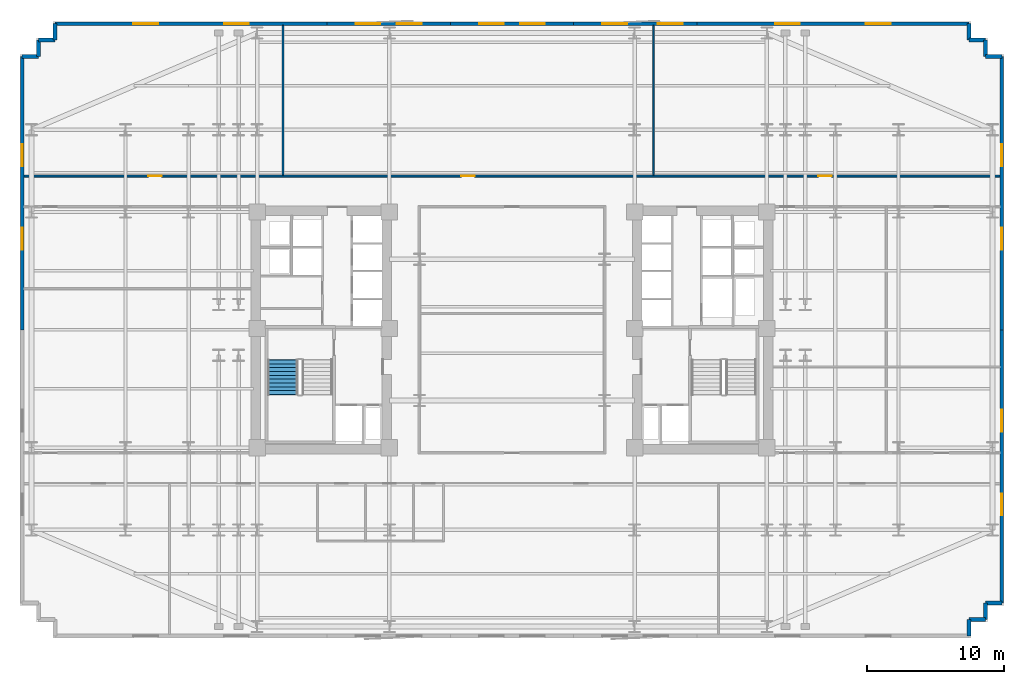
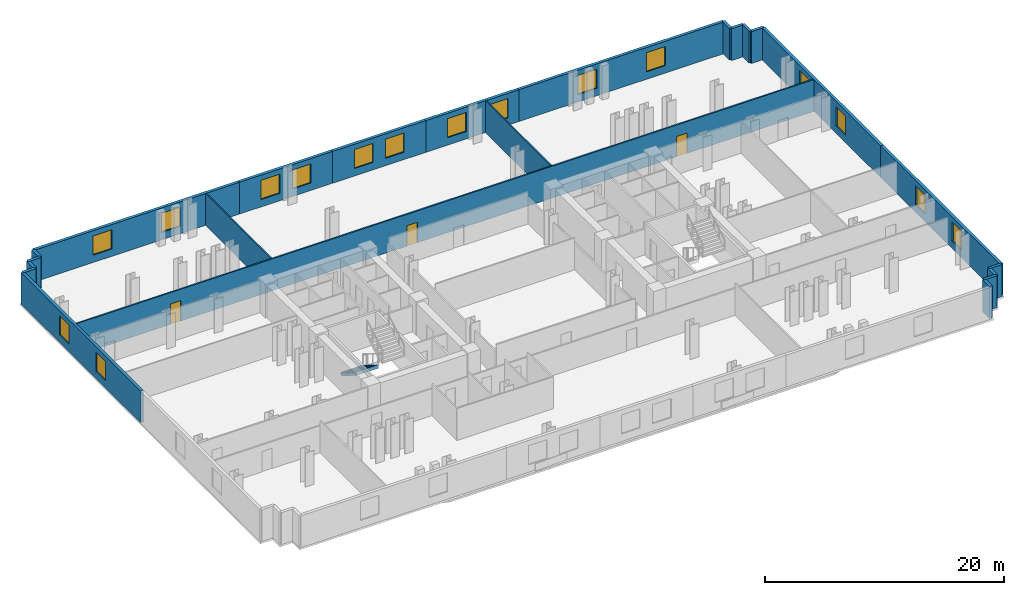
# One storey, part 7 of 10: 23 walls, 16 windows, 3 doors, 1 stair flight, 19 openings, 1 element without a shape of its own.
"""IFC4 building model written with IfcOpenShell, lengths in metres."""

from ifc_helpers import new_model, si_unit, direction, frame, frame_2d, origin, place, context, subcontext, project, spatial, polyline, rectangle, outline, extrude, material, layer, layer_set, type_object, element, fill, aggregate, save


model = new_model("IFC4")

# Units and contexts
model_context = context("Model", 3, precision=1e-05, world=origin(), true_north=direction((0.0, 1.0)))
body_context = subcontext(model_context, "Body", "Model", "MODEL_VIEW")
ifc_project = project(units=[si_unit("LENGTHUNIT", "METRE"), si_unit("AREAUNIT", "SQUARE_METRE"), si_unit("VOLUMEUNIT", "CUBIC_METRE"), si_unit("PLANEANGLEUNIT", "RADIAN"), si_unit("MASSUNIT", "GRAM", prefix="KILO")], contexts=[model_context])

# Site, building, storey
site_placement = place(None, origin())
site = spatial("IfcSite", under=ifc_project, at=site_placement, CompositionType="ELEMENT")
building_placement = place(site_placement, origin())
building = spatial("IfcBuilding", under=site, at=building_placement, Name="Velakula Bourse", CompositionType="ELEMENT")
storey_placement = place(building_placement, frame((0.0, 0.0, 34.64990234375)))
storey = spatial("IfcBuildingStorey", under=building, at=storey_placement, Name="L08", CompositionType="ELEMENT", Elevation=34.64990234375)

# Wall, openings, windows
ifc_material_1 = material(Name="Red kilned clay facing brick masonry", Category="masonry")
ifc_layer_1 = layer(ifc_material_1, 0.280029296875, Name="Red kilned clay facing brick masonry", Category="masonry")
ifc_layer_set_1 = layer_set([ifc_layer_1], Name="Red kilned clay facing brick masonry")
wall_type_1 = type_object("IfcWallType", Name="WL-EXT-BRK-280", PredefinedType="STANDARD", material=ifc_layer_set_1)
wall_1_placement = place(storey_placement, frame((-33.340087890625, 22.340087890625, 0.0), z_axis=(0.0, 0.0, 1.0), x_axis=(1.0, 0.0, 0.0)))
wall_1 = element("IfcWall", 1, at=wall_1_placement, inside=storey, type_object=wall_type_1, Name="L08 N Brick Spandrel Wall B1", PredefinedType="STANDARD", context=body_context, shape_type="SweptSolid", body=[
    extrude(rectangle(XDim=19.840087890625, YDim=0.280029296875, at=frame_2d((9.919921875, 0.0))), origin(), (0.0, 0.0, 1.0), 3.25),
])
opening_1_placement = place(wall_1_placement, frame((5.71337890625, 0.0, 0.760009765625)))
opening_1 = element("IfcOpeningElement", 2, at=opening_1_placement, cuts=wall_1, Name="Opening W-01", PredefinedType="OPENING", context=body_context, shape_type="SweptSolid", body=[
    extrude(rectangle(XDim=1.800048828125, YDim=1.949951171875, at=frame_2d((0.89990234375, 0.97509765625))), frame((0.0, 0.14990234375, 0.0), z_axis=(0.0, -1.0, 0.0), x_axis=(1.0, 0.0, 0.0)), (0.0, 0.0, 1.0), 0.300048828125),
])
opening_2_placement = place(wall_1_placement, frame((12.32666015625, 0.0, 0.760009765625)))
opening_2 = element("IfcOpeningElement", 3, at=opening_2_placement, cuts=wall_1, Name="Opening W-01", PredefinedType="OPENING", context=body_context, shape_type="SweptSolid", body=[
    extrude(rectangle(XDim=1.800048828125, YDim=1.949951171875, at=frame_2d((0.89990234375, 0.97509765625))), frame((0.0, 0.14990234375, 0.0), z_axis=(0.0, -1.0, 0.0), x_axis=(1.0, 0.0, 0.0)), (0.0, 0.0, 1.0), 0.300048828125),
])
ifc_material_2 = material(Name="Double-glazed solar-control Low-E glass", Category="glass")
window_type_1 = type_object("IfcWindowType", Name="WIN-TWR-1800x2100", PartitioningType="SINGLE_PANEL", PredefinedType="WINDOW", material=ifc_material_2)
window_1_placement = place(opening_1_placement, origin())
window_1 = element("IfcWindow", 4, at=window_1_placement, inside=storey, type_object=window_type_1, Name="L08 Deep-Set Recessed Window 1", OverallHeight=1.949951171875, OverallWidth=1.800048828125, PartitioningType="SINGLE_PANEL", PredefinedType="WINDOW", context=body_context, shape_type="SweptSolid", body=[
    extrude(rectangle(XDim=1.800048828125, YDim=1.949951171875, at=frame_2d((0.89990234375, 0.97509765625))), frame((0.0, 0.030029296875, 0.0), z_axis=(0.0, -1.0, 0.0), x_axis=(1.0, 0.0, 0.0)), (0.0, 0.0, 1.0), 0.06005859375),
])
fill(opening_1, window_1)
window_2_placement = place(opening_2_placement, origin())
window_2 = element("IfcWindow", 5, at=window_2_placement, inside=storey, type_object=window_type_1, Name="L08 Deep-Set Recessed Window 2", OverallHeight=1.949951171875, OverallWidth=1.800048828125, PartitioningType="SINGLE_PANEL", PredefinedType="WINDOW", context=body_context, shape_type="SweptSolid", body=[
    extrude(rectangle(XDim=1.800048828125, YDim=1.949951171875, at=frame_2d((0.89990234375, 0.97509765625))), frame((0.0, 0.030029296875, 0.0), z_axis=(0.0, -1.0, 0.0), x_axis=(1.0, 0.0, 0.0)), (0.0, 0.0, 1.0), 0.06005859375),
])
fill(opening_2, window_2)

wall_2_placement = place(storey_placement, frame((-13.5, 22.340087890625, 0.0), z_axis=(0.0, 0.0, 1.0), x_axis=(1.0, 0.0, 0.0)))
wall_2 = element("IfcWall", 6, at=wall_2_placement, inside=storey, type_object=wall_type_1, Name="L08 N Brick Spandrel Wall B2", PredefinedType="STANDARD", context=body_context, shape_type="SweptSolid", body=[
    extrude(rectangle(XDim=9.0, YDim=0.280029296875, at=frame_2d((4.5, 0.0))), origin(), (0.0, 0.0, 1.0), 3.25),
])
opening_3_placement = place(wall_2_placement, frame((2.10009765625, 0.0, 0.760009765625)))
opening_3 = element("IfcOpeningElement", 7, at=opening_3_placement, cuts=wall_2, Name="Opening W-01", PredefinedType="OPENING", context=body_context, shape_type="SweptSolid", body=[
    extrude(rectangle(XDim=1.800048828125, YDim=1.949951171875, at=frame_2d((0.89990234375, 0.97509765625))), frame((0.0, 0.14990234375, 0.0), z_axis=(0.0, -1.0, 0.0), x_axis=(1.0, 0.0, 0.0)), (0.0, 0.0, 1.0), 0.300048828125),
])
opening_4_placement = place(wall_2_placement, frame((5.10009765625, 0.0, 0.760009765625)))
opening_4 = element("IfcOpeningElement", 8, at=opening_4_placement, cuts=wall_2, Name="Opening W-01", PredefinedType="OPENING", context=body_context, shape_type="SweptSolid", body=[
    extrude(rectangle(XDim=1.800048828125, YDim=1.949951171875, at=frame_2d((0.89990234375, 0.97509765625))), frame((0.0, 0.14990234375, 0.0), z_axis=(0.0, -1.0, 0.0), x_axis=(1.0, 0.0, 0.0)), (0.0, 0.0, 1.0), 0.300048828125),
])
window_3_placement = place(opening_3_placement, origin())
window_3 = element("IfcWindow", 9, at=window_3_placement, inside=storey, type_object=window_type_1, Name="L08 Deep-Set Recessed Window 1", OverallHeight=1.949951171875, OverallWidth=1.800048828125, PartitioningType="SINGLE_PANEL", PredefinedType="WINDOW", context=body_context, shape_type="SweptSolid", body=[
    extrude(rectangle(XDim=1.800048828125, YDim=1.949951171875, at=frame_2d((0.89990234375, 0.97509765625))), frame((0.0, 0.030029296875, 0.0), z_axis=(0.0, -1.0, 0.0), x_axis=(1.0, 0.0, 0.0)), (0.0, 0.0, 1.0), 0.06005859375),
])
fill(opening_3, window_3)
window_4_placement = place(opening_4_placement, origin())
window_4 = element("IfcWindow", 10, at=window_4_placement, inside=storey, type_object=window_type_1, Name="L08 Deep-Set Recessed Window 2", OverallHeight=1.949951171875, OverallWidth=1.800048828125, PartitioningType="SINGLE_PANEL", PredefinedType="WINDOW", context=body_context, shape_type="SweptSolid", body=[
    extrude(rectangle(XDim=1.800048828125, YDim=1.949951171875, at=frame_2d((0.89990234375, 0.97509765625))), frame((0.0, 0.030029296875, 0.0), z_axis=(0.0, -1.0, 0.0), x_axis=(1.0, 0.0, 0.0)), (0.0, 0.0, 1.0), 0.06005859375),
])
fill(opening_4, window_4)

wall_3_placement = place(storey_placement, frame((-4.5, 22.340087890625, 0.0), z_axis=(0.0, 0.0, 1.0), x_axis=(1.0, 0.0, 0.0)))
wall_3 = element("IfcWall", 11, at=wall_3_placement, inside=storey, type_object=wall_type_1, Name="L08 N Brick Spandrel Wall B3", PredefinedType="STANDARD", context=body_context, shape_type="SweptSolid", body=[
    extrude(rectangle(XDim=9.0, YDim=0.280029296875, at=frame_2d((4.5, 0.0))), origin(), (0.0, 0.0, 1.0), 3.25),
])
opening_5_placement = place(wall_3_placement, frame((2.10009765625, 0.0, 0.760009765625)))
opening_5 = element("IfcOpeningElement", 12, at=opening_5_placement, cuts=wall_3, Name="Opening W-01", PredefinedType="OPENING", context=body_context, shape_type="SweptSolid", body=[
    extrude(rectangle(XDim=1.800048828125, YDim=1.949951171875, at=frame_2d((0.89990234375, 0.97509765625))), frame((0.0, 0.14990234375, 0.0), z_axis=(0.0, -1.0, 0.0), x_axis=(1.0, 0.0, 0.0)), (0.0, 0.0, 1.0), 0.300048828125),
])
opening_6_placement = place(wall_3_placement, frame((5.10009765625, 0.0, 0.760009765625)))
opening_6 = element("IfcOpeningElement", 13, at=opening_6_placement, cuts=wall_3, Name="Opening W-01", PredefinedType="OPENING", context=body_context, shape_type="SweptSolid", body=[
    extrude(rectangle(XDim=1.800048828125, YDim=1.949951171875, at=frame_2d((0.89990234375, 0.97509765625))), frame((0.0, 0.14990234375, 0.0), z_axis=(0.0, -1.0, 0.0), x_axis=(1.0, 0.0, 0.0)), (0.0, 0.0, 1.0), 0.300048828125),
])
window_5_placement = place(opening_5_placement, origin())
window_5 = element("IfcWindow", 14, at=window_5_placement, inside=storey, type_object=window_type_1, Name="L08 Deep-Set Recessed Window 1", OverallHeight=1.949951171875, OverallWidth=1.800048828125, PartitioningType="SINGLE_PANEL", PredefinedType="WINDOW", context=body_context, shape_type="SweptSolid", body=[
    extrude(rectangle(XDim=1.800048828125, YDim=1.949951171875, at=frame_2d((0.89990234375, 0.97509765625))), frame((0.0, 0.030029296875, 0.0), z_axis=(0.0, -1.0, 0.0), x_axis=(1.0, 0.0, 0.0)), (0.0, 0.0, 1.0), 0.06005859375),
])
fill(opening_5, window_5)
window_6_placement = place(opening_6_placement, origin())
window_6 = element("IfcWindow", 15, at=window_6_placement, inside=storey, type_object=window_type_1, Name="L08 Deep-Set Recessed Window 2", OverallHeight=1.949951171875, OverallWidth=1.800048828125, PartitioningType="SINGLE_PANEL", PredefinedType="WINDOW", context=body_context, shape_type="SweptSolid", body=[
    extrude(rectangle(XDim=1.800048828125, YDim=1.949951171875, at=frame_2d((0.89990234375, 0.97509765625))), frame((0.0, 0.030029296875, 0.0), z_axis=(0.0, -1.0, 0.0), x_axis=(1.0, 0.0, 0.0)), (0.0, 0.0, 1.0), 0.06005859375),
])
fill(opening_6, window_6)

wall_4_placement = place(storey_placement, frame((4.5, 22.340087890625, 0.0), z_axis=(0.0, 0.0, 1.0), x_axis=(1.0, 0.0, 0.0)))
wall_4 = element("IfcWall", 16, at=wall_4_placement, inside=storey, type_object=wall_type_1, Name="L08 N Brick Spandrel Wall B4", PredefinedType="STANDARD", context=body_context, shape_type="SweptSolid", body=[
    extrude(rectangle(XDim=9.0, YDim=0.280029296875, at=frame_2d((4.5, 0.0))), origin(), (0.0, 0.0, 1.0), 3.25),
])
opening_7_placement = place(wall_4_placement, frame((2.10009765625, 0.0, 0.760009765625)))
opening_7 = element("IfcOpeningElement", 17, at=opening_7_placement, cuts=wall_4, Name="Opening W-01", PredefinedType="OPENING", context=body_context, shape_type="SweptSolid", body=[
    extrude(rectangle(XDim=1.800048828125, YDim=1.949951171875, at=frame_2d((0.89990234375, 0.97509765625))), frame((0.0, 0.14990234375, 0.0), z_axis=(0.0, -1.0, 0.0), x_axis=(1.0, 0.0, 0.0)), (0.0, 0.0, 1.0), 0.300048828125),
])
opening_8_placement = place(wall_4_placement, frame((6.14990234375, 0.0, 0.760009765625)))
opening_8 = element("IfcOpeningElement", 18, at=opening_8_placement, cuts=wall_4, Name="Opening W-01", PredefinedType="OPENING", context=body_context, shape_type="SweptSolid", body=[
    extrude(rectangle(XDim=1.800048828125, YDim=1.949951171875, at=frame_2d((0.89990234375, 0.97509765625))), frame((0.0, 0.14990234375, 0.0), z_axis=(0.0, -1.0, 0.0), x_axis=(1.0, 0.0, 0.0)), (0.0, 0.0, 1.0), 0.300048828125),
])
window_7_placement = place(opening_7_placement, origin())
window_7 = element("IfcWindow", 19, at=window_7_placement, inside=storey, type_object=window_type_1, Name="L08 Deep-Set Recessed Window 1", OverallHeight=1.949951171875, OverallWidth=1.800048828125, PartitioningType="SINGLE_PANEL", PredefinedType="WINDOW", context=body_context, shape_type="SweptSolid", body=[
    extrude(rectangle(XDim=1.800048828125, YDim=1.949951171875, at=frame_2d((0.89990234375, 0.97509765625))), frame((0.0, 0.030029296875, 0.0), z_axis=(0.0, -1.0, 0.0), x_axis=(1.0, 0.0, 0.0)), (0.0, 0.0, 1.0), 0.06005859375),
])
fill(opening_7, window_7)
window_8_placement = place(opening_8_placement, origin())
window_8 = element("IfcWindow", 20, at=window_8_placement, inside=storey, type_object=window_type_1, Name="L08 Deep-Set Recessed Window 2", OverallHeight=1.949951171875, OverallWidth=1.800048828125, PartitioningType="SINGLE_PANEL", PredefinedType="WINDOW", context=body_context, shape_type="SweptSolid", body=[
    extrude(rectangle(XDim=1.800048828125, YDim=1.949951171875, at=frame_2d((0.89990234375, 0.97509765625))), frame((0.0, 0.030029296875, 0.0), z_axis=(0.0, -1.0, 0.0), x_axis=(1.0, 0.0, 0.0)), (0.0, 0.0, 1.0), 0.06005859375),
])
fill(opening_8, window_8)

wall_5_placement = place(storey_placement, frame((13.5, 22.340087890625, 0.0), z_axis=(0.0, 0.0, 1.0), x_axis=(1.0, 0.0, 0.0)))
wall_5 = element("IfcWall", 21, at=wall_5_placement, inside=storey, type_object=wall_type_1, Name="L08 N Brick Spandrel Wall B5", PredefinedType="STANDARD", context=body_context, shape_type="SweptSolid", body=[
    extrude(rectangle(XDim=19.840087890625, YDim=0.280029296875, at=frame_2d((9.919921875, 0.0))), origin(), (0.0, 0.0, 1.0), 3.25),
])
opening_9_placement = place(wall_5_placement, frame((5.71337890625, 0.0, 0.760009765625)))
opening_9 = element("IfcOpeningElement", 22, at=opening_9_placement, cuts=wall_5, Name="Opening W-01", PredefinedType="OPENING", context=body_context, shape_type="SweptSolid", body=[
    extrude(rectangle(XDim=1.800048828125, YDim=1.949951171875, at=frame_2d((0.89990234375, 0.97509765625))), frame((0.0, 0.14990234375, 0.0), z_axis=(0.0, -1.0, 0.0), x_axis=(1.0, 0.0, 0.0)), (0.0, 0.0, 1.0), 0.300048828125),
])
opening_10_placement = place(wall_5_placement, frame((12.32666015625, 0.0, 0.760009765625)))
opening_10 = element("IfcOpeningElement", 23, at=opening_10_placement, cuts=wall_5, Name="Opening W-01", PredefinedType="OPENING", context=body_context, shape_type="SweptSolid", body=[
    extrude(rectangle(XDim=1.800048828125, YDim=1.949951171875, at=frame_2d((0.89990234375, 0.97509765625))), frame((0.0, 0.14990234375, 0.0), z_axis=(0.0, -1.0, 0.0), x_axis=(1.0, 0.0, 0.0)), (0.0, 0.0, 1.0), 0.300048828125),
])
window_9_placement = place(opening_9_placement, origin())
window_9 = element("IfcWindow", 24, at=window_9_placement, inside=storey, type_object=window_type_1, Name="L08 Deep-Set Recessed Window 1", OverallHeight=1.949951171875, OverallWidth=1.800048828125, PartitioningType="SINGLE_PANEL", PredefinedType="WINDOW", context=body_context, shape_type="SweptSolid", body=[
    extrude(rectangle(XDim=1.800048828125, YDim=1.949951171875, at=frame_2d((0.89990234375, 0.97509765625))), frame((0.0, 0.030029296875, 0.0), z_axis=(0.0, -1.0, 0.0), x_axis=(1.0, 0.0, 0.0)), (0.0, 0.0, 1.0), 0.06005859375),
])
fill(opening_9, window_9)
window_10_placement = place(opening_10_placement, origin())
window_10 = element("IfcWindow", 25, at=window_10_placement, inside=storey, type_object=window_type_1, Name="L08 Deep-Set Recessed Window 2", OverallHeight=1.949951171875, OverallWidth=1.800048828125, PartitioningType="SINGLE_PANEL", PredefinedType="WINDOW", context=body_context, shape_type="SweptSolid", body=[
    extrude(rectangle(XDim=1.800048828125, YDim=1.949951171875, at=frame_2d((0.89990234375, 0.97509765625))), frame((0.0, 0.030029296875, 0.0), z_axis=(0.0, -1.0, 0.0), x_axis=(1.0, 0.0, 0.0)), (0.0, 0.0, 1.0), 0.06005859375),
])
fill(opening_10, window_10)

wall_6_placement = place(storey_placement, frame((-35.739990234375, 0.0, 0.0), z_axis=(0.0, 0.0, 1.0), x_axis=(0.0, 1.0, 0.0)))
wall_6 = element("IfcWall", 26, at=wall_6_placement, inside=storey, type_object=wall_type_1, Name="L08 W Brick End Wall W2", PredefinedType="STANDARD", context=body_context, shape_type="SweptSolid", body=[
    extrude(rectangle(XDim=19.93994140625, YDim=0.280029296875, at=frame_2d((9.969970703125, 0.0))), origin(), (0.0, 0.0, 1.0), 3.25),
])
opening_11_placement = place(wall_6_placement, frame((5.8466796875, 0.0, 0.760009765625)))
opening_11 = element("IfcOpeningElement", 27, at=opening_11_placement, cuts=wall_6, Name="Opening W-02", PredefinedType="OPENING", context=body_context, shape_type="SweptSolid", body=[
    extrude(rectangle(XDim=1.60009765625, YDim=1.949951171875, at=frame_2d((0.800048828125, 0.97509765625))), frame((0.0, 0.14990234375, 0.0), z_axis=(0.0, -1.0, 0.0), x_axis=(1.0, 0.0, 0.0)), (0.0, 0.0, 1.0), 0.300048828125),
])
opening_12_placement = place(wall_6_placement, frame((11.943359375, 0.0, 0.760009765625)))
opening_12 = element("IfcOpeningElement", 28, at=opening_12_placement, cuts=wall_6, Name="Opening W-02", PredefinedType="OPENING", context=body_context, shape_type="SweptSolid", body=[
    extrude(rectangle(XDim=1.60009765625, YDim=1.949951171875, at=frame_2d((0.800048828125, 0.97509765625))), frame((0.0, 0.14990234375, 0.0), z_axis=(0.0, -1.0, 0.0), x_axis=(1.0, 0.0, 0.0)), (0.0, 0.0, 1.0), 0.300048828125),
])
window_type_2 = type_object("IfcWindowType", Name="WIN-TWR-1600x2100", PartitioningType="SINGLE_PANEL", PredefinedType="WINDOW", material=ifc_material_2)
window_11_placement = place(opening_11_placement, origin())
window_11 = element("IfcWindow", 29, at=window_11_placement, inside=storey, type_object=window_type_2, Name="L08 Deep-Set Recessed Window 1", OverallHeight=1.949951171875, OverallWidth=1.60009765625, PartitioningType="SINGLE_PANEL", PredefinedType="WINDOW", context=body_context, shape_type="SweptSolid", body=[
    extrude(rectangle(XDim=1.60009765625, YDim=1.949951171875, at=frame_2d((0.800048828125, 0.97509765625))), frame((0.0, 0.030029296875, 0.0), z_axis=(0.0, -1.0, 0.0), x_axis=(1.0, 0.0, 0.0)), (0.0, 0.0, 1.0), 0.06005859375),
])
fill(opening_11, window_11)
window_12_placement = place(opening_12_placement, origin())
window_12 = element("IfcWindow", 30, at=window_12_placement, inside=storey, type_object=window_type_2, Name="L08 Deep-Set Recessed Window 2", OverallHeight=1.949951171875, OverallWidth=1.60009765625, PartitioningType="SINGLE_PANEL", PredefinedType="WINDOW", context=body_context, shape_type="SweptSolid", body=[
    extrude(rectangle(XDim=1.60009765625, YDim=1.949951171875, at=frame_2d((0.800048828125, 0.97509765625))), frame((0.0, 0.030029296875, 0.0), z_axis=(0.0, -1.0, 0.0), x_axis=(1.0, 0.0, 0.0)), (0.0, 0.0, 1.0), 0.06005859375),
])
fill(opening_12, window_12)

wall_7_placement = place(storey_placement, frame((35.739990234375, 0.0, 0.0), z_axis=(0.0, 0.0, 1.0), x_axis=(0.0, -1.0, 0.0)))
wall_7 = element("IfcWall", 31, at=wall_7_placement, inside=storey, type_object=wall_type_1, Name="L08 E Brick End Wall W1", PredefinedType="STANDARD", context=body_context, shape_type="SweptSolid", body=[
    extrude(rectangle(XDim=19.93994140625, YDim=0.280029296875, at=frame_2d((9.969970703125, 0.0))), origin(), (0.0, 0.0, 1.0), 3.25),
])
opening_13_placement = place(wall_7_placement, frame((5.8466796875, 0.0, 0.760009765625)))
opening_13 = element("IfcOpeningElement", 32, at=opening_13_placement, cuts=wall_7, Name="Opening W-02", PredefinedType="OPENING", context=body_context, shape_type="SweptSolid", body=[
    extrude(rectangle(XDim=1.60009765625, YDim=1.949951171875, at=frame_2d((0.800048828125, 0.97509765625))), frame((0.0, 0.14990234375, 0.0), z_axis=(0.0, -1.0, 0.0), x_axis=(1.0, 0.0, 0.0)), (0.0, 0.0, 1.0), 0.300048828125),
])
opening_14_placement = place(wall_7_placement, frame((11.943359375, 0.0, 0.760009765625)))
opening_14 = element("IfcOpeningElement", 33, at=opening_14_placement, cuts=wall_7, Name="Opening W-02", PredefinedType="OPENING", context=body_context, shape_type="SweptSolid", body=[
    extrude(rectangle(XDim=1.60009765625, YDim=1.949951171875, at=frame_2d((0.800048828125, 0.97509765625))), frame((0.0, 0.14990234375, 0.0), z_axis=(0.0, -1.0, 0.0), x_axis=(1.0, 0.0, 0.0)), (0.0, 0.0, 1.0), 0.300048828125),
])
window_13_placement = place(opening_13_placement, origin())
window_13 = element("IfcWindow", 34, at=window_13_placement, inside=storey, type_object=window_type_2, Name="L08 Deep-Set Recessed Window 1", OverallHeight=1.949951171875, OverallWidth=1.60009765625, PartitioningType="SINGLE_PANEL", PredefinedType="WINDOW", context=body_context, shape_type="SweptSolid", body=[
    extrude(rectangle(XDim=1.60009765625, YDim=1.949951171875, at=frame_2d((0.800048828125, 0.97509765625))), frame((0.0, 0.030029296875, 0.0), z_axis=(0.0, -1.0, 0.0), x_axis=(1.0, 0.0, 0.0)), (0.0, 0.0, 1.0), 0.06005859375),
])
fill(opening_13, window_13)
window_14_placement = place(opening_14_placement, origin())
window_14 = element("IfcWindow", 35, at=window_14_placement, inside=storey, type_object=window_type_2, Name="L08 Deep-Set Recessed Window 2", OverallHeight=1.949951171875, OverallWidth=1.60009765625, PartitioningType="SINGLE_PANEL", PredefinedType="WINDOW", context=body_context, shape_type="SweptSolid", body=[
    extrude(rectangle(XDim=1.60009765625, YDim=1.949951171875, at=frame_2d((0.800048828125, 0.97509765625))), frame((0.0, 0.030029296875, 0.0), z_axis=(0.0, -1.0, 0.0), x_axis=(1.0, 0.0, 0.0)), (0.0, 0.0, 1.0), 0.06005859375),
])
fill(opening_14, window_14)

wall_8_placement = place(storey_placement, frame((35.739990234375, 19.93994140625, 0.0), z_axis=(0.0, 0.0, 1.0), x_axis=(0.0, -1.0, 0.0)))
wall_8 = element("IfcWall", 36, at=wall_8_placement, inside=storey, type_object=wall_type_1, Name="L08 E Brick End Wall W2", PredefinedType="STANDARD", context=body_context, shape_type="SweptSolid", body=[
    extrude(rectangle(XDim=19.93994140625, YDim=0.280029296875, at=frame_2d((9.969970703125, 0.0))), origin(), (0.0, 0.0, 1.0), 3.25),
])
opening_15_placement = place(wall_8_placement, frame((6.396728515625, 0.0, 0.760009765625)))
opening_15 = element("IfcOpeningElement", 37, at=opening_15_placement, cuts=wall_8, Name="Opening W-02", PredefinedType="OPENING", context=body_context, shape_type="SweptSolid", body=[
    extrude(rectangle(XDim=1.60009765625, YDim=1.949951171875, at=frame_2d((0.800048828125, 0.97509765625))), frame((0.0, 0.14990234375, 0.0), z_axis=(0.0, -1.0, 0.0), x_axis=(1.0, 0.0, 0.0)), (0.0, 0.0, 1.0), 0.300048828125),
])
opening_16_placement = place(wall_8_placement, frame((12.493408203125, 0.0, 0.760009765625)))
opening_16 = element("IfcOpeningElement", 38, at=opening_16_placement, cuts=wall_8, Name="Opening W-02", PredefinedType="OPENING", context=body_context, shape_type="SweptSolid", body=[
    extrude(rectangle(XDim=1.60009765625, YDim=1.949951171875, at=frame_2d((0.800048828125, 0.97509765625))), frame((0.0, 0.14990234375, 0.0), z_axis=(0.0, -1.0, 0.0), x_axis=(1.0, 0.0, 0.0)), (0.0, 0.0, 1.0), 0.300048828125),
])
window_15_placement = place(opening_15_placement, origin())
window_15 = element("IfcWindow", 39, at=window_15_placement, inside=storey, type_object=window_type_2, Name="L08 Deep-Set Recessed Window 1", OverallHeight=1.949951171875, OverallWidth=1.60009765625, PartitioningType="SINGLE_PANEL", PredefinedType="WINDOW", context=body_context, shape_type="SweptSolid", body=[
    extrude(rectangle(XDim=1.60009765625, YDim=1.949951171875, at=frame_2d((0.800048828125, 0.97509765625))), frame((0.0, 0.030029296875, 0.0), z_axis=(0.0, -1.0, 0.0), x_axis=(1.0, 0.0, 0.0)), (0.0, 0.0, 1.0), 0.06005859375),
])
fill(opening_15, window_15)
window_16_placement = place(opening_16_placement, origin())
window_16 = element("IfcWindow", 40, at=window_16_placement, inside=storey, type_object=window_type_2, Name="L08 Deep-Set Recessed Window 2", OverallHeight=1.949951171875, OverallWidth=1.60009765625, PartitioningType="SINGLE_PANEL", PredefinedType="WINDOW", context=body_context, shape_type="SweptSolid", body=[
    extrude(rectangle(XDim=1.60009765625, YDim=1.949951171875, at=frame_2d((0.800048828125, 0.97509765625))), frame((0.0, 0.030029296875, 0.0), z_axis=(0.0, -1.0, 0.0), x_axis=(1.0, 0.0, 0.0)), (0.0, 0.0, 1.0), 0.06005859375),
])
fill(opening_16, window_16)

# Walls
wall_9_placement = place(storey_placement, frame((33.340087890625, -22.340087890625, 0.0), z_axis=(0.0, 0.0, 1.0), x_axis=(0.0, 1.0, 0.0)))
element("IfcWall", 41, at=wall_9_placement, inside=storey, type_object=wall_type_1, Name="L08 Serrated Corner Brick Wall SE-1", PredefinedType="STANDARD", context=body_context, shape_type="SweptSolid", body=[
    extrude(rectangle(XDim=1.2001953125, YDim=0.280029296875, at=frame_2d((0.60009765625, 0.0))), origin(), (0.0, 0.0, 1.0), 3.25),
])
for number, where, z_axis, x_axis, name in (
    (42, (33.340087890625, -21.139892578125, 0.0), (0.0, 0.0, 1.0), (1.0, 0.0, 0.0), "L08 Serrated Corner Brick Wall SE-2"),
    (43, (34.5400390625, -21.139892578125, 0.0), (0.0, 0.0, 1.0), (0.0, 1.0, 0.0), "L08 Serrated Corner Brick Wall SE-3"),
    (44, (34.5400390625, -19.93994140625, 0.0), (0.0, 0.0, 1.0), (1.0, 0.0, 0.0), "L08 Serrated Corner Brick Wall SE-4"),
    (45, (35.739990234375, 19.93994140625, 0.0), (0.0, 0.0, 1.0), (-1.0, 0.0, 0.0), "L08 Serrated Corner Brick Wall NE-1"),
    (46, (34.5400390625, 19.93994140625, 0.0), (0.0, 0.0, 1.0), (0.0, 1.0, 0.0), "L08 Serrated Corner Brick Wall NE-2"),
    (47, (34.5400390625, 21.139892578125, 0.0), (0.0, 0.0, 1.0), (-1.0, 0.0, 0.0), "L08 Serrated Corner Brick Wall NE-3"),
):
    element("IfcWall", number, at=place(storey_placement, frame(where, z_axis=z_axis, x_axis=x_axis)), inside=storey, type_object=wall_type_1, Name=name, PredefinedType="STANDARD", context=body_context, shape_type="SweptSolid", body=[
        extrude(rectangle(XDim=1.199951171875, YDim=0.280029296875, at=frame_2d((0.60009765625, 0.0))), origin(), (0.0, 0.0, 1.0), 3.25),
    ])
for number, where, z_axis, x_axis, name in (
    (48, (33.340087890625, 21.139892578125, 0.0), (0.0, 0.0, 1.0), (0.0, 1.0, 0.0), "L08 Serrated Corner Brick Wall NE-4"),
    (49, (-33.340087890625, 22.340087890625, 0.0), (0.0, 0.0, 1.0), (0.0, -1.0, 0.0), "L08 Serrated Corner Brick Wall NW-1"),
):
    element("IfcWall", number, at=place(storey_placement, frame(where, z_axis=z_axis, x_axis=x_axis)), inside=storey, type_object=wall_type_1, Name=name, PredefinedType="STANDARD", context=body_context, shape_type="SweptSolid", body=[
        extrude(rectangle(XDim=1.2001953125, YDim=0.280029296875, at=frame_2d((0.60009765625, 0.0))), origin(), (0.0, 0.0, 1.0), 3.25),
    ])
for number, where, z_axis, x_axis, name in (
    (50, (-33.340087890625, 21.139892578125, 0.0), (0.0, 0.0, 1.0), (-1.0, 0.0, 0.0), "L08 Serrated Corner Brick Wall NW-2"),
    (51, (-34.5400390625, 21.139892578125, 0.0), (0.0, 0.0, 1.0), (0.0, -1.0, 0.0), "L08 Serrated Corner Brick Wall NW-3"),
    (52, (-34.5400390625, 19.93994140625, 0.0), (0.0, 0.0, 1.0), (-1.0, 0.0, 0.0), "L08 Serrated Corner Brick Wall NW-4"),
):
    element("IfcWall", number, at=place(storey_placement, frame(where, z_axis=z_axis, x_axis=x_axis)), inside=storey, type_object=wall_type_1, Name=name, PredefinedType="STANDARD", context=body_context, shape_type="SweptSolid", body=[
        extrude(rectangle(XDim=1.199951171875, YDim=0.280029296875, at=frame_2d((0.60009765625, 0.0))), origin(), (0.0, 0.0, 1.0), 3.25),
    ])
ifc_material_3 = material(Name="Fire-rated double-layer gypsum drywall partition", Category="gypsum")
ifc_layer_2 = layer(ifc_material_3, 0.1201171875, Name="Fire-rated double-layer gypsum drywall partition", Category="gypsum")
ifc_layer_set_2 = layer_set([ifc_layer_2], Name="Fire-rated double-layer gypsum drywall partition")
wall_type_2 = type_object("IfcWallType", Name="WL-PART-120", PredefinedType="STANDARD", material=ifc_layer_set_2)
for number, where, z_axis, x_axis, name in (
    (53, (-16.712890625, 11.2900390625, 0.0), (0.0, 0.0, 1.0), (0.0, 1.0, 0.0), "L08 Interior Partition WL-INT-L08-N-D1"),
    (54, (10.31201171875, 11.2900390625, 0.0), (0.0, 0.0, 1.0), (0.0, 1.0, 0.0), "L08 Interior Partition WL-INT-L08-N-D2"),
):
    element("IfcWall", number, at=place(storey_placement, frame(where, z_axis=z_axis, x_axis=x_axis)), inside=storey, type_object=wall_type_2, Name=name, PredefinedType="STANDARD", context=body_context, shape_type="SweptSolid", body=[
        extrude(rectangle(XDim=10.929931640625, YDim=0.1201171875, at=frame_2d((5.46484375, 0.0))), origin(), (0.0, 0.0, 1.0), 3.25),
    ])

# Wall, openings, doors
ifc_layer_3 = layer(ifc_material_3, 0.139892578125, Name="Fire-rated double-layer gypsum drywall partition", Category="gypsum")
ifc_layer_set_3 = layer_set([ifc_layer_3], Name="Fire-rated double-layer gypsum drywall partition")
wall_type_3 = type_object("IfcWallType", Name="WL-PART-140", PredefinedType="STANDARD", material=ifc_layer_set_3)
wall_10_placement = place(storey_placement, frame((-35.6201171875, 11.219970703125, 0.0), z_axis=(0.0, 0.0, 1.0), x_axis=(1.0, 0.0, 0.0)))
wall_10 = element("IfcWall", 55, at=wall_10_placement, inside=storey, type_object=wall_type_3, Name="L08 Interior Partition WL-INT-L08-N-CORR", PredefinedType="STANDARD", context=body_context, shape_type="SweptSolid", body=[
    extrude(rectangle(XDim=71.240234375, YDim=0.139892578125, at=frame_2d((35.6201171875, 0.0))), origin(), (0.0, 0.0, 1.0), 3.25),
])
opening_17_placement = place(wall_10_placement, frame((9.07958984375, 0.0, 0.0)))
opening_17 = element("IfcOpeningElement", 56, at=opening_17_placement, cuts=wall_10, Name="Opening D-OF1", PredefinedType="OPENING", context=body_context, shape_type="SweptSolid", body=[
    extrude(rectangle(XDim=1.0, YDim=2.080078125, at=frame_2d((0.5, 1.0400390625))), frame((0.0, 0.079833984375, 0.0), z_axis=(0.0, -1.0, 0.0), x_axis=(1.0, 0.0, 0.0)), (0.0, 0.0, 1.0), 0.159912109375),
])
opening_18_placement = place(wall_10_placement, frame((31.91943359375, 0.0, 0.0)))
opening_18 = element("IfcOpeningElement", 57, at=opening_18_placement, cuts=wall_10, Name="Opening D-OF1", PredefinedType="OPENING", context=body_context, shape_type="SweptSolid", body=[
    extrude(rectangle(XDim=1.0, YDim=2.080078125, at=frame_2d((0.5, 1.0400390625))), frame((0.0, 0.079833984375, 0.0), z_axis=(0.0, -1.0, 0.0), x_axis=(1.0, 0.0, 0.0)), (0.0, 0.0, 1.0), 0.159912109375),
])
opening_19_placement = place(wall_10_placement, frame((57.9599609375, 0.0, 0.0)))
opening_19 = element("IfcOpeningElement", 58, at=opening_19_placement, cuts=wall_10, Name="Opening D-OF1", PredefinedType="OPENING", context=body_context, shape_type="SweptSolid", body=[
    extrude(rectangle(XDim=1.0, YDim=2.080078125, at=frame_2d((0.5, 1.0400390625))), frame((0.0, 0.079833984375, 0.0), z_axis=(0.0, -1.0, 0.0), x_axis=(1.0, 0.0, 0.0)), (0.0, 0.0, 1.0), 0.159912109375),
])
ifc_material_4 = material(Name="Fire-rated hardwood flush architectural door", Category="wood")
door_type = type_object("IfcDoorType", Name="DR-OFF-1000", OperationType="NOTDEFINED", PredefinedType="DOOR", material=ifc_material_4)
door_1_placement = place(opening_17_placement, origin())
door_1 = element("IfcDoor", 59, at=door_1_placement, inside=storey, type_object=door_type, Name="L08 FX Spot Dealing Workspace Door", OperationType="SINGLE_SWING_LEFT", OverallHeight=2.080078125, OverallWidth=1.0, PredefinedType="DOOR", context=body_context, shape_type="SweptSolid", body=[
    extrude(rectangle(XDim=1.0, YDim=2.080078125, at=frame_2d((0.5, 1.0400390625))), frame((0.0, 0.02490234375, 0.0), z_axis=(0.0, -1.0, 0.0), x_axis=(1.0, 0.0, 0.0)), (0.0, 0.0, 1.0), 0.050048828125),
])
fill(opening_17, door_1)
door_2_placement = place(opening_18_placement, origin())
door_2 = element("IfcDoor", 60, at=door_2_placement, inside=storey, type_object=door_type, Name="L08 Arbitration Conference Room Door", OperationType="SINGLE_SWING_RIGHT", OverallHeight=2.080078125, OverallWidth=1.0, PredefinedType="DOOR", context=body_context, shape_type="SweptSolid", body=[
    extrude(rectangle(XDim=1.0, YDim=2.080078125, at=frame_2d((0.5, 1.0400390625))), frame((0.0, 0.02490234375, 0.0), z_axis=(0.0, -1.0, 0.0), x_axis=(1.0, 0.0, 0.0)), (0.0, 0.0, 1.0), 0.050048828125),
])
fill(opening_18, door_2)
door_3_placement = place(opening_19_placement, origin())
door_3 = element("IfcDoor", 61, at=door_3_placement, inside=storey, type_object=door_type, Name="L08 Tea Room Kitchenette Door", OperationType="SINGLE_SWING_LEFT", OverallHeight=2.080078125, OverallWidth=1.0, PredefinedType="DOOR", context=body_context, shape_type="SweptSolid", body=[
    extrude(rectangle(XDim=1.0, YDim=2.080078125, at=frame_2d((0.5, 1.0400390625))), frame((0.0, 0.02490234375, 0.0), z_axis=(0.0, -1.0, 0.0), x_axis=(1.0, 0.0, 0.0)), (0.0, 0.0, 1.0), 0.050048828125),
])
fill(opening_19, door_3)

# Stair, stair flight
ifc_material_5 = material(Name="Concrete M45 (fck 45 MPa)", Category="concrete")
stair_type = type_object("IfcStairType", Name="STR-DOG-390", PredefinedType="HALF_TURN_STAIR", material=ifc_material_5)
stair_placement = place(storey_placement, origin())
stair = element("IfcStair", 62, at=stair_placement, inside=storey, type_object=stair_type, Name="L08 West Core Exit Stair ST-W1", PredefinedType="HALF_TURN_STAIR")
ifc_layer_4 = layer(ifc_material_5, 0.195068359375, Name="Concrete M45 (fck 45 MPa)", Category="concrete")
ifc_layer_set_4 = layer_set([ifc_layer_4], Name="Concrete M45 (fck 45 MPa)")
stair_flight_type = type_object("IfcStairFlightType", Name="FLT-DOG-390", PredefinedType="STRAIGHT", material=ifc_layer_set_4)
stair_flight_placement = place(storey_placement, frame((-16.720947265625, -2.199951171875, 0.0), z_axis=(0.0, 0.0, 1.0), x_axis=(0.0, -1.0, 0.0)))
stair_flight = element("IfcStairFlight", 63, at=stair_flight_placement, type_object=stair_flight_type, Name="ST-W1 flight 1", NumberOfRisers=10, NumberOfTreads=9, PredefinedType="STRAIGHT", RiserHeight=0.1725, TreadLength=0.28, context=body_context, shape_type="SweptSolid", body=[
    extrude(outline(polyline([(-0.044921875, -0.0400390625), (-0.044921875, -0.036865234375), (-0.044921875, -0.033935546875), (-0.044921875, -0.03076171875), (-0.044921875, -0.027587890625), (-0.044921875, -0.024658203125), (-0.044921875, -0.021484375), (-0.044921875, -0.0185546875), (-0.044921875, -0.015380859375), (-0.044921875, -0.01220703125), (-0.044921875, -0.00927734375), (-0.044921875, -0.006103515625), (-0.044921875, -0.003173828125), (-0.044921875, 0.0), (0.0, 0.0), (0.0, 0.172607421875), (0.280029296875, 0.172607421875), (0.280029296875, 0.344970703125), (0.56005859375, 0.344970703125), (0.56005859375, 0.517578125), (0.840087890625, 0.517578125), (0.840087890625, 0.68994140625), (1.1201171875, 0.68994140625), (1.1201171875, 0.862548828125), (1.39990234375, 0.862548828125), (1.39990234375, 1.034912109375), (1.679931640625, 1.034912109375), (1.679931640625, 1.20751953125), (1.9599609375, 1.20751953125), (1.9599609375, 1.3798828125), (2.239990234375, 1.3798828125), (2.239990234375, 1.552490234375), (2.52001953125, 1.552490234375), (2.52001953125, 1.72509765625), (2.56494140625, 1.72509765625), (2.56494140625, 1.7001953125), (2.56494140625, 1.67529296875), (2.56494140625, 1.650390625), (2.56494140625, 1.62548828125), (2.56494140625, 1.6005859375), (2.56494140625, 1.57568359375), (2.56494140625, 1.55078125), (2.56494140625, 1.52587890625), (2.56494140625, 1.5009765625), (2.56494140625, 1.47607421875), (2.56494140625, 1.451171875), (2.56494140625, 1.42626953125), (2.56494140625, 1.4013671875), (2.56494140625, 1.37646484375), (0.285888671875, -0.0400390625), (-0.044921875, -0.0400390625)])), frame((0.0, 1.09912109375, 0.0), z_axis=(0.0, -1.0, 0.0), x_axis=(1.0, 0.0, 0.0)), (0.0, 0.0, 1.0), 2.197998046875),
])
aggregate(stair, [stair_flight])

save(model, "model.ifc")
